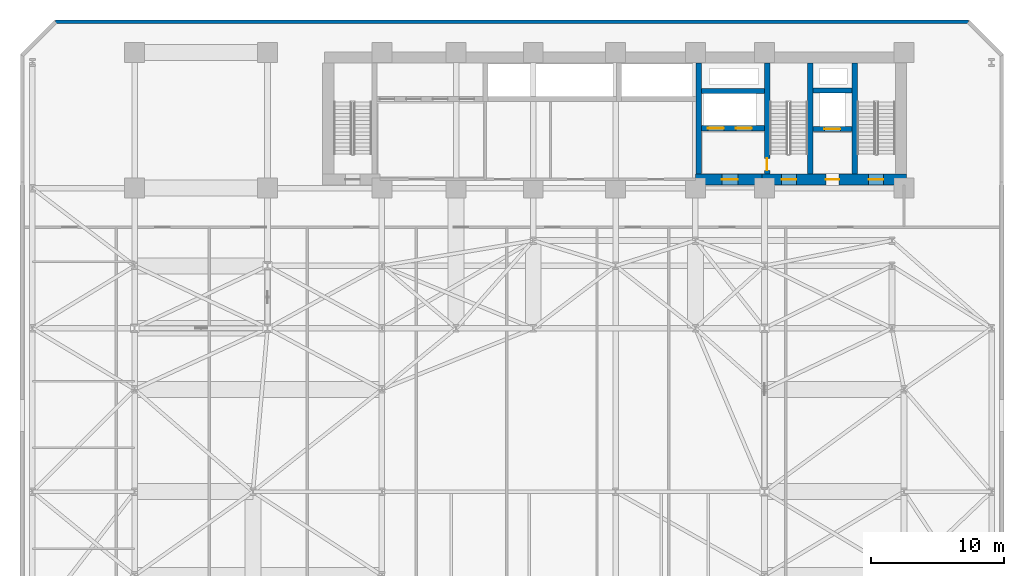
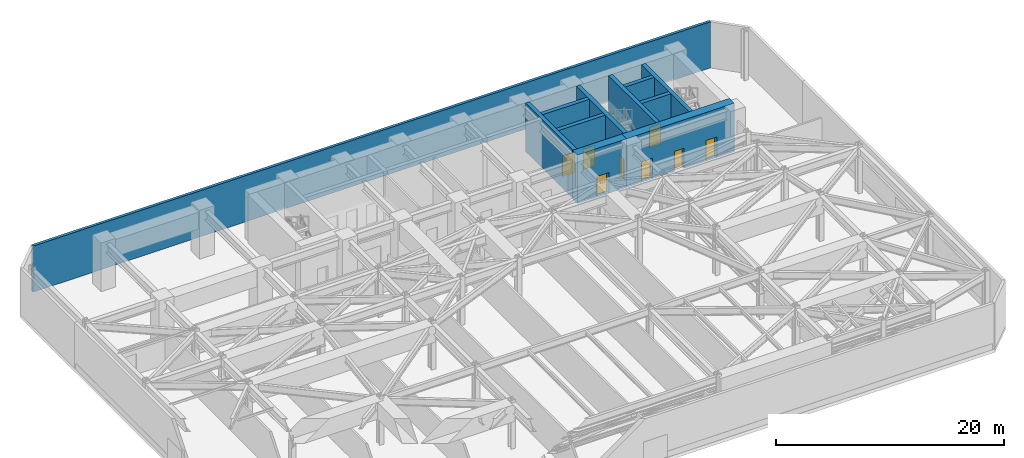
# One storey, part 8 of 14: 11 walls, 8 doors, 8 openings.
"""IFC4 building model written with IfcOpenShell, lengths in metres."""

from ifc_helpers import new_model, si_unit, direction, frame, frame_2d, origin, place, context, subcontext, project, spatial, rectangle, extrude, material, layer, layer_set, type_object, element, fill, save


model = new_model("IFC4")

# Units and contexts
model_context = context("Model", 3, precision=1e-05, world=origin(), true_north=direction((0.0, 1.0)))
body_context = subcontext(model_context, "Body", "Model", "MODEL_VIEW")
ifc_project = project(units=[si_unit("LENGTHUNIT", "METRE"), si_unit("AREAUNIT", "SQUARE_METRE"), si_unit("VOLUMEUNIT", "CUBIC_METRE"), si_unit("PLANEANGLEUNIT", "RADIAN"), si_unit("MASSUNIT", "GRAM", prefix="KILO")], contexts=[model_context])

# Site, building, storey
site_placement = place(None, origin())
site = spatial("IfcSite", under=ifc_project, at=site_placement, CompositionType="ELEMENT")
building_placement = place(site_placement, origin())
building = spatial("IfcBuilding", under=site, at=building_placement, Name="Kravanh Interchange Tower", CompositionType="ELEMENT")
storey_placement = place(building_placement, frame((0.0, 0.0, 24.300048828125)))
storey = spatial("IfcBuildingStorey", under=building, at=storey_placement, Name="L05", CompositionType="ELEMENT", Elevation=24.300048828125)

# Walls
ifc_material_1 = material(Name="Concrete C80/95", Category="concrete")
ifc_layer_1 = layer(ifc_material_1, 0.39990234375)
ifc_layer_set_1 = layer_set([ifc_layer_1], Name="Core Shear Wall Concrete C80/95 400mm")
wall_type_1 = type_object("IfcWallType", Name="Core Shear Wall Concrete C80/95 400mm", PredefinedType="SHEAR", material=ifc_layer_set_1)
for number, where, z_axis, x_axis, name in (
    (1, (62.800048828125, 38.425048828125, 0.0), (0.0, 0.0, 1.0), (0.0, 1.0, 0.0), "L05 Stair ST1 West Shear Wall"),
    (2, (59.449951171875, 38.425048828125, 0.0), (0.0, 0.0, 1.0), (0.0, 1.0, 0.0), "L05 Stair ST2 East Shear Wall"),
):
    element("IfcWall", number, at=place(storey_placement, frame(where, z_axis=z_axis, x_axis=x_axis)), inside=storey, type_object=wall_type_1, Name=name, PredefinedType="SHEAR", context=body_context, shape_type="SweptSolid", body=[
        extrude(rectangle(XDim=8.324951171875, YDim=0.39990234375, at=frame_2d((4.16259765625, 0.0))), origin(), (0.0, 0.0, 1.0), 5.199951171875),
    ])

# Wall, opening, door
wall_1_placement = place(storey_placement, frame((56.199951171875, 38.425048828125, 0.0), z_axis=(0.0, 0.0, 1.0), x_axis=(0.0, 1.0, 0.0)))
wall_1 = element("IfcWall", 3, at=wall_1_placement, inside=storey, type_object=wall_type_1, Name="L05 Stair ST2 West Shear Wall", PredefinedType="SHEAR", context=body_context, shape_type="SweptSolid", body=[
    extrude(rectangle(XDim=8.324951171875, YDim=0.39990234375, at=frame_2d((4.16259765625, 0.0))), origin(), (0.0, 0.0, 1.0), 5.199951171875),
])
opening_1_placement = place(wall_1_placement, frame((0.2548828125, 0.0, 0.0)))
opening_1 = element("IfcOpeningElement", 4, at=opening_1_placement, cuts=wall_1, Name="Opening D-STAIR-90", PredefinedType="OPENING", context=body_context, shape_type="SweptSolid", body=[
    extrude(rectangle(XDim=0.89990234375, YDim=2.14990234375, at=frame_2d((0.449951171875, 1.074951171875))), frame((0.0, 0.2099609375, 0.0), z_axis=(0.0, -1.0, 0.0), x_axis=(1.0, 0.0, 0.0)), (0.0, 0.0, 1.0), 0.419921875),
])
ifc_material_2 = material(Name="Structural Steel S355", Category="steel")
door_type_1 = type_object("IfcDoorType", Name="Fire-Rated Stair Lobby Door 900x2150", OperationType="NOTDEFINED", PredefinedType="DOOR", material=ifc_material_2)
door_1_placement = place(opening_1_placement, origin())
door_1 = element("IfcDoor", 5, at=door_1_placement, inside=storey, type_object=door_type_1, Name="L05 Firefighting Lobby to Stair ST2 Door", OperationType="SINGLE_SWING_LEFT", OverallHeight=2.14990234375, OverallWidth=0.89990234375, PredefinedType="DOOR", context=body_context, shape_type="SweptSolid", body=[
    extrude(rectangle(XDim=0.89990234375, YDim=2.14990234375, at=frame_2d((0.449951171875, 1.074951171875))), frame((0.0, 0.02490234375, 0.0), z_axis=(0.0, -1.0, 0.0), x_axis=(1.0, 0.0, 0.0)), (0.0, 0.0, 1.0), 0.050048828125),
])
fill(opening_1, door_1)

wall_2_placement = place(storey_placement, frame((59.64990234375, 41.800048828125, 0.0), z_axis=(0.0, 0.0, 1.0), x_axis=(1.0, 0.0, 0.0)))
wall_2 = element("IfcWall", 6, at=wall_2_placement, inside=storey, type_object=wall_type_1, Name="L05 Service Lift Shaft South Wall", PredefinedType="SHEAR", context=body_context, shape_type="SweptSolid", body=[
    extrude(rectangle(XDim=2.9501953125, YDim=0.39990234375, at=frame_2d((1.47509765625, 0.0))), origin(), (0.0, 0.0, 1.0), 5.199951171875),
])
opening_2_placement = place(wall_2_placement, frame((0.8701171875, 0.0, 0.0)))
opening_2 = element("IfcOpeningElement", 7, at=opening_2_placement, cuts=wall_2, Name="Opening LD02", PredefinedType="OPENING", context=body_context, shape_type="SweptSolid", body=[
    extrude(rectangle(XDim=1.199951171875, YDim=2.199951171875, at=frame_2d((0.60009765625, 1.10009765625))), frame((0.0, 0.2099609375, 0.0), z_axis=(0.0, -1.0, 0.0), x_axis=(1.0, 0.0, 0.0)), (0.0, 0.0, 1.0), 0.419921875),
])
ifc_material_3 = material(Name="Stainless Steel 316", Category="steel")
door_type_2 = type_object("IfcDoorType", Name="Fire and Service Lift Sliding Landing Door 1200x2200", OperationType="DOUBLE_DOOR_SLIDING", PredefinedType="DOOR", material=ifc_material_3)
door_2_placement = place(opening_2_placement, origin())
door_2 = element("IfcDoor", 8, at=door_2_placement, inside=storey, type_object=door_type_2, Name="L05 Lift LS-01 Landing Door", OperationType="DOUBLE_DOOR_SLIDING", OverallHeight=2.199951171875, OverallWidth=1.199951171875, PredefinedType="DOOR", context=body_context, shape_type="SweptSolid", body=[
    extrude(rectangle(XDim=1.199951171875, YDim=2.199951171875, at=frame_2d((0.60009765625, 1.10009765625))), frame((0.0, 0.02490234375, 0.0), z_axis=(0.0, -1.0, 0.0), x_axis=(1.0, 0.0, 0.0)), (0.0, 0.0, 1.0), 0.050048828125),
])
fill(opening_2, door_2)

# Wall
wall_3_placement = place(storey_placement, frame((59.64990234375, 44.699951171875, 0.0), z_axis=(0.0, 0.0, 1.0), x_axis=(1.0, 0.0, 0.0)))
element("IfcWall", 9, at=wall_3_placement, inside=storey, type_object=wall_type_1, Name="L05 Service Lift Shaft North Wall", PredefinedType="SHEAR", context=body_context, shape_type="SweptSolid", body=[
    extrude(rectangle(XDim=2.9501953125, YDim=0.39990234375, at=frame_2d((1.47509765625, 0.0))), origin(), (0.0, 0.0, 1.0), 5.199951171875),
])

# Wall, openings, doors
wall_4_placement = place(storey_placement, frame((51.25, 41.85009765625, 0.0), z_axis=(0.0, 0.0, 1.0), x_axis=(1.0, 0.0, 0.0)))
wall_4 = element("IfcWall", 10, at=wall_4_placement, inside=storey, type_object=wall_type_1, Name="L05 Fire Lift Shaft South Wall", PredefinedType="SHEAR", context=body_context, shape_type="SweptSolid", body=[
    extrude(rectangle(XDim=4.75, YDim=0.39990234375, at=frame_2d((2.375, 0.0))), origin(), (0.0, 0.0, 1.0), 5.199951171875),
])
opening_3_placement = place(wall_4_placement, frame((0.5, 0.0, 0.0)))
opening_3 = element("IfcOpeningElement", 11, at=opening_3_placement, cuts=wall_4, Name="Opening LD02", PredefinedType="OPENING", context=body_context, shape_type="SweptSolid", body=[
    extrude(rectangle(XDim=1.199951171875, YDim=2.199951171875, at=frame_2d((0.60009765625, 1.10009765625))), frame((0.0, 0.2099609375, 0.0), z_axis=(0.0, -1.0, 0.0), x_axis=(1.0, 0.0, 0.0)), (0.0, 0.0, 1.0), 0.419921875),
])
opening_4_placement = place(wall_4_placement, frame((2.60009765625, 0.0, 0.0)))
opening_4 = element("IfcOpeningElement", 12, at=opening_4_placement, cuts=wall_4, Name="Opening LD02", PredefinedType="OPENING", context=body_context, shape_type="SweptSolid", body=[
    extrude(rectangle(XDim=1.199951171875, YDim=2.199951171875, at=frame_2d((0.60009765625, 1.10009765625))), frame((0.0, 0.2099609375, 0.0), z_axis=(0.0, -1.0, 0.0), x_axis=(1.0, 0.0, 0.0)), (0.0, 0.0, 1.0), 0.419921875),
])
door_3_placement = place(opening_3_placement, origin())
door_3 = element("IfcDoor", 13, at=door_3_placement, inside=storey, type_object=door_type_2, Name="L05 Lift FSAE-01 Landing Door", OperationType="DOUBLE_DOOR_SLIDING", OverallHeight=2.199951171875, OverallWidth=1.199951171875, PredefinedType="DOOR", context=body_context, shape_type="SweptSolid", body=[
    extrude(rectangle(XDim=1.199951171875, YDim=2.199951171875, at=frame_2d((0.60009765625, 1.10009765625))), frame((0.0, 0.02490234375, 0.0), z_axis=(0.0, -1.0, 0.0), x_axis=(1.0, 0.0, 0.0)), (0.0, 0.0, 1.0), 0.050048828125),
])
fill(opening_3, door_3)
door_4_placement = place(opening_4_placement, origin())
door_4 = element("IfcDoor", 14, at=door_4_placement, inside=storey, type_object=door_type_2, Name="L05 Lift FSAE-02 Landing Door", OperationType="DOUBLE_DOOR_SLIDING", OverallHeight=2.199951171875, OverallWidth=1.199951171875, PredefinedType="DOOR", context=body_context, shape_type="SweptSolid", body=[
    extrude(rectangle(XDim=1.199951171875, YDim=2.199951171875, at=frame_2d((0.60009765625, 1.10009765625))), frame((0.0, 0.02490234375, 0.0), z_axis=(0.0, -1.0, 0.0), x_axis=(1.0, 0.0, 0.0)), (0.0, 0.0, 1.0), 0.050048828125),
])
fill(opening_4, door_4)

# Walls
wall_5_placement = place(storey_placement, frame((51.25, 44.64990234375, 0.0), z_axis=(0.0, 0.0, 1.0), x_axis=(1.0, 0.0, 0.0)))
element("IfcWall", 15, at=wall_5_placement, inside=storey, type_object=wall_type_1, Name="L05 Fire Lift Shaft North Wall", PredefinedType="SHEAR", context=body_context, shape_type="SweptSolid", body=[
    extrude(rectangle(XDim=4.75, YDim=0.39990234375, at=frame_2d((2.375, 0.0))), origin(), (0.0, 0.0, 1.0), 5.199951171875),
])
wall_6_placement = place(storey_placement, frame((51.050048828125, 38.425048828125, 0.0), z_axis=(0.0, 0.0, 1.0), x_axis=(0.0, 1.0, 0.0)))
element("IfcWall", 16, at=wall_6_placement, inside=storey, type_object=wall_type_1, Name="L05 Firefighting Lobby West Wall", PredefinedType="SHEAR", context=body_context, shape_type="SweptSolid", body=[
    extrude(rectangle(XDim=8.324951171875, YDim=0.39990234375, at=frame_2d((4.16259765625, 0.0))), origin(), (0.0, 0.0, 1.0), 5.199951171875),
])

# Wall, openings, doors
ifc_material_4 = material(Name="Concrete C80/95", Category="concrete")
ifc_layer_2 = layer(ifc_material_4, 0.85009765625)
ifc_layer_set_2 = layer_set([ifc_layer_2], Name="Core Shear Wall Concrete C80/95 850mm")
wall_type_2 = type_object("IfcWallType", Name="Core Shear Wall Concrete C80/95 850mm", PredefinedType="SHEAR", material=ifc_layer_set_2)
wall_7_placement = place(storey_placement, frame((55.800048828125, 38.0, 0.0), z_axis=(0.0, 0.0, 1.0), x_axis=(1.0, 0.0, 0.0)))
wall_7 = element("IfcWall", 17, at=wall_7_placement, inside=storey, type_object=wall_type_2, Name="L05 East Core South Shear Wall", PredefinedType="SHEAR", context=body_context, shape_type="SweptSolid", body=[
    extrude(rectangle(XDim=10.89990234375, YDim=0.85009765625, at=frame_2d((5.449951171875, 0.0))), origin(), (0.0, 0.0, 1.0), 5.199951171875),
])
opening_5_placement = place(wall_7_placement, frame((1.5, 0.0, 0.0)))
opening_5 = element("IfcOpeningElement", 18, at=opening_5_placement, cuts=wall_7, Name="Opening D-STAIR-110", PredefinedType="OPENING", context=body_context, shape_type="SweptSolid", body=[
    extrude(rectangle(XDim=1.10009765625, YDim=2.199951171875, at=frame_2d((0.550048828125, 1.10009765625))), frame((0.0, 0.43505859375, 0.0), z_axis=(0.0, -1.0, 0.0), x_axis=(1.0, 0.0, 0.0)), (0.0, 0.0, 1.0), 0.8701171875),
])
opening_6_placement = place(wall_7_placement, frame((4.820068359375, 0.0, 0.0)))
opening_6 = element("IfcOpeningElement", 19, at=opening_6_placement, cuts=wall_7, Name="Opening D-HOTEL-100", PredefinedType="OPENING", context=body_context, shape_type="SweptSolid", body=[
    extrude(rectangle(XDim=1.0, YDim=2.14990234375, at=frame_2d((0.5, 1.074951171875))), frame((0.0, 0.43505859375, 0.0), z_axis=(0.0, -1.0, 0.0), x_axis=(1.0, 0.0, 0.0)), (0.0, 0.0, 1.0), 0.8701171875),
])
opening_7_placement = place(wall_7_placement, frame((8.050048828125, 0.0, 0.0)))
opening_7 = element("IfcOpeningElement", 20, at=opening_7_placement, cuts=wall_7, Name="Opening D-STAIR-110", PredefinedType="OPENING", context=body_context, shape_type="SweptSolid", body=[
    extrude(rectangle(XDim=1.10009765625, YDim=2.199951171875, at=frame_2d((0.550048828125, 1.10009765625))), frame((0.0, 0.43505859375, 0.0), z_axis=(0.0, -1.0, 0.0), x_axis=(1.0, 0.0, 0.0)), (0.0, 0.0, 1.0), 0.8701171875),
])
ifc_material_5 = material(Name="Structural Steel S355", Category="steel")
door_type_3 = type_object("IfcDoorType", Name="Fire-Rated Exit Stair Door 1100x2200", OperationType="NOTDEFINED", PredefinedType="DOOR", material=ifc_material_5)
door_5_placement = place(opening_5_placement, origin())
door_5 = element("IfcDoor", 21, at=door_5_placement, inside=storey, type_object=door_type_3, Name="L05 Exit Stair ST2 Door", OperationType="SINGLE_SWING_RIGHT", OverallHeight=2.199951171875, OverallWidth=1.10009765625, PredefinedType="DOOR", context=body_context, shape_type="SweptSolid", body=[
    extrude(rectangle(XDim=1.10009765625, YDim=2.199951171875, at=frame_2d((0.550048828125, 1.10009765625))), frame((0.0, 0.02490234375, 0.0), z_axis=(0.0, -1.0, 0.0), x_axis=(1.0, 0.0, 0.0)), (0.0, 0.0, 1.0), 0.050048828125),
])
fill(opening_5, door_5)
door_6_placement = place(opening_7_placement, origin())
door_6 = element("IfcDoor", 22, at=door_6_placement, inside=storey, type_object=door_type_3, Name="L05 Exit Stair ST1 Door", OperationType="SINGLE_SWING_RIGHT", OverallHeight=2.199951171875, OverallWidth=1.10009765625, PredefinedType="DOOR", context=body_context, shape_type="SweptSolid", body=[
    extrude(rectangle(XDim=1.10009765625, YDim=2.199951171875, at=frame_2d((0.550048828125, 1.10009765625))), frame((0.0, 0.02490234375, 0.0), z_axis=(0.0, -1.0, 0.0), x_axis=(1.0, 0.0, 0.0)), (0.0, 0.0, 1.0), 0.050048828125),
])
fill(opening_7, door_6)
ifc_material_6 = material(Name="Fire-Rated Solid Timber Leaf", Category="wood")
door_type_4 = type_object("IfcDoorType", Name="Fire-Rated Suite Entrance Door 1000x2150", OperationType="NOTDEFINED", PredefinedType="DOOR", material=ifc_material_6)
door_7_placement = place(opening_6_placement, origin())
door_7 = element("IfcDoor", 23, at=door_7_placement, inside=storey, type_object=door_type_4, Name="L05 Service Lift Lobby Door", OperationType="SINGLE_SWING_RIGHT", OverallHeight=2.14990234375, OverallWidth=1.0, PredefinedType="DOOR", context=body_context, shape_type="SweptSolid", body=[
    extrude(rectangle(XDim=1.0, YDim=2.14990234375, at=frame_2d((0.5, 1.074951171875))), frame((0.0, 0.02490234375, 0.0), z_axis=(0.0, -1.0, 0.0), x_axis=(1.0, 0.0, 0.0)), (0.0, 0.0, 1.0), 0.050048828125),
])
fill(opening_6, door_7)

# Wall, opening, door
wall_8_placement = place(storey_placement, frame((50.800048828125, 38.0, 0.0), z_axis=(0.0, 0.0, 1.0), x_axis=(1.0, 0.0, 0.0)))
wall_8 = element("IfcWall", 24, at=wall_8_placement, inside=storey, type_object=wall_type_2, Name="L05 Firefighting Lobby South Shear Wall", PredefinedType="SHEAR", context=body_context, shape_type="SweptSolid", body=[
    extrude(rectangle(XDim=5.0, YDim=0.85009765625, at=frame_2d((2.5, 0.0))), origin(), (0.0, 0.0, 1.0), 5.199951171875),
])
opening_8_placement = place(wall_8_placement, frame((2.0, 0.0, 0.0)))
opening_8 = element("IfcOpeningElement", 25, at=opening_8_placement, cuts=wall_8, Name="Opening D-FSAE-120", PredefinedType="OPENING", context=body_context, shape_type="SweptSolid", body=[
    extrude(rectangle(XDim=1.199951171875, YDim=2.199951171875, at=frame_2d((0.60009765625, 1.10009765625))), frame((0.0, 0.43505859375, 0.0), z_axis=(0.0, -1.0, 0.0), x_axis=(1.0, 0.0, 0.0)), (0.0, 0.0, 1.0), 0.8701171875),
])
ifc_material_7 = material(Name="Structural Steel S355", Category="steel")
door_type_5 = type_object("IfcDoorType", Name="Fire-Rated Refuge and FSAE Door 1200x2200", OperationType="NOTDEFINED", PredefinedType="DOOR", material=ifc_material_7)
door_8_placement = place(opening_8_placement, origin())
door_8 = element("IfcDoor", 26, at=door_8_placement, inside=storey, type_object=door_type_5, Name="L05 Firefighting Lobby Corridor Door", OperationType="SINGLE_SWING_RIGHT", OverallHeight=2.199951171875, OverallWidth=1.199951171875, PredefinedType="DOOR", context=body_context, shape_type="SweptSolid", body=[
    extrude(rectangle(XDim=1.199951171875, YDim=2.199951171875, at=frame_2d((0.60009765625, 1.10009765625))), frame((0.0, 0.02490234375, 0.0), z_axis=(0.0, -1.0, 0.0), x_axis=(1.0, 0.0, 0.0)), (0.0, 0.0, 1.0), 0.050048828125),
])
fill(opening_8, door_8)

# Wall
ifc_material_8 = material(Name="Insulated Precast Concrete C40/50 with Bronze Cladding", Category="concrete")
ifc_layer_3 = layer(ifc_material_8, 0.280029296875)
ifc_layer_set_3 = layer_set([ifc_layer_3], Name="Exterior Insulated Concrete C40/50 Bronze Spandrel Wall 280mm")
wall_type_3 = type_object("IfcWallType", Name="Exterior Insulated Concrete C40/50 Bronze Spandrel Wall 280mm", PredefinedType="STANDARD", material=ifc_layer_set_3)
wall_9_placement = place(storey_placement, frame((2.657958984375, 49.860107421875, 0.0), z_axis=(0.0, 0.0, 1.0), x_axis=(1.0, 0.0, 0.0)))
element("IfcWall", 27, at=wall_9_placement, inside=storey, type_object=wall_type_3, Name="L05 Exterior Enclosure Wall 4", PredefinedType="STANDARD", context=body_context, shape_type="SweptSolid", body=[
    extrude(rectangle(XDim=68.68408203125, YDim=0.280029296875, at=frame_2d((34.342041015625, 0.0))), origin(), (0.0, 0.0, 1.0), 4.93994140625),
])

save(model, "model.ifc")
